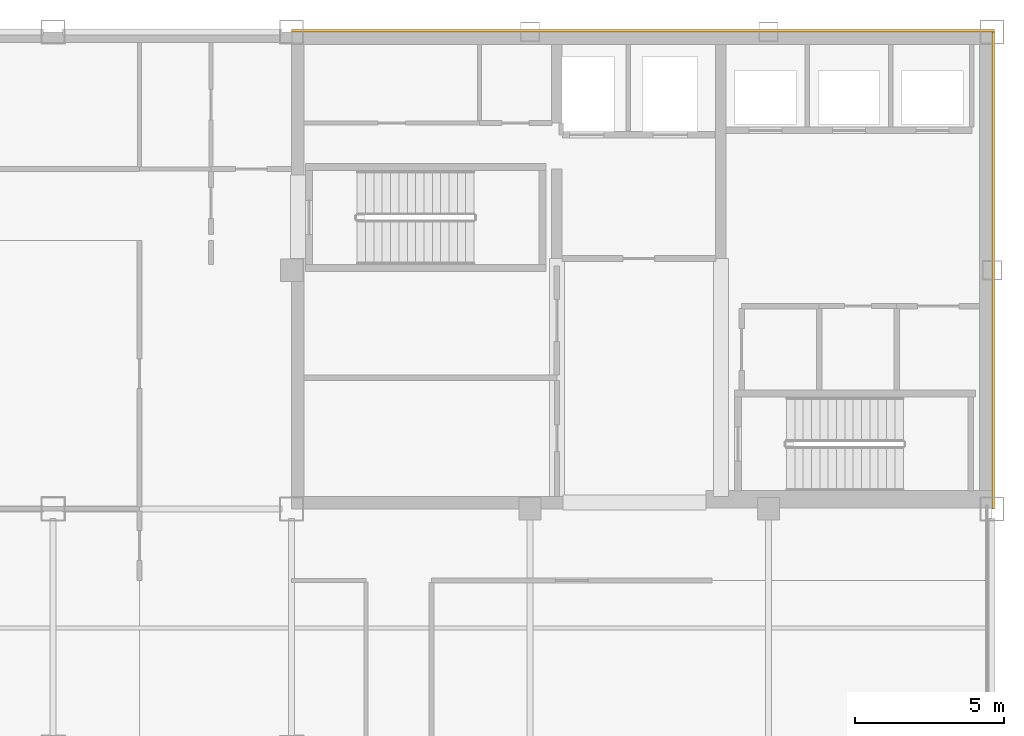
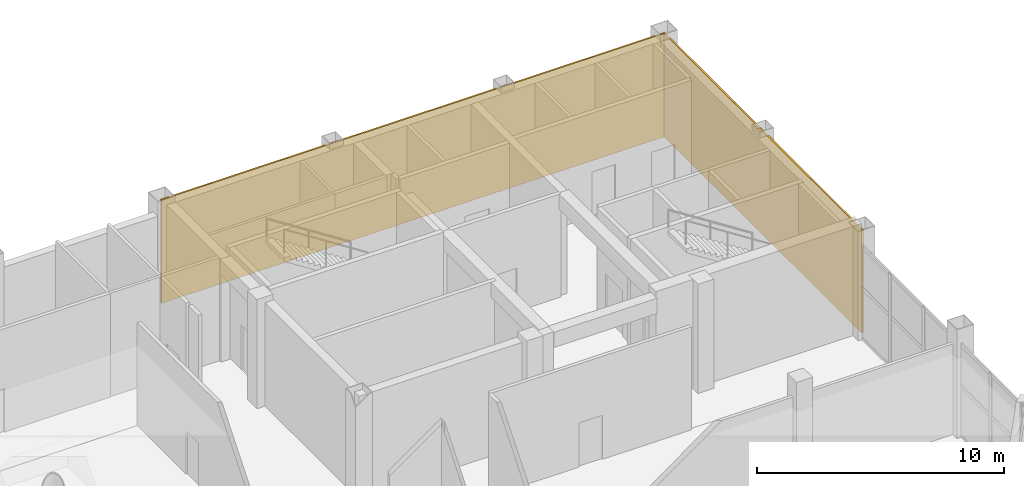
# One storey, part 17 of 17: 2 coverings.
"""IFC4 building model written with IfcOpenShell, lengths in metres."""

from ifc_helpers import new_model, si_unit, direction, frame, origin, origin_2d, place, context, subcontext, project, spatial, rectangle, extrude, material, layer, layer_set, type_object, element, save


model = new_model("IFC4")

# Units and contexts
model_context = context("Model", 3, precision=1e-05, world=origin(), true_north=direction((0.0, 1.0)))
body_context = subcontext(model_context, "Body", "Model", "MODEL_VIEW")
ifc_project = project(units=[si_unit("LENGTHUNIT", "METRE"), si_unit("AREAUNIT", "SQUARE_METRE"), si_unit("VOLUMEUNIT", "CUBIC_METRE"), si_unit("PLANEANGLEUNIT", "RADIAN"), si_unit("MASSUNIT", "GRAM", prefix="KILO")], contexts=[model_context])

# Site, building, storey
site_placement = place(None, origin())
site = spatial("IfcSite", under=ifc_project, at=site_placement, CompositionType="ELEMENT")
building_placement = place(site_placement, origin())
building = spatial("IfcBuilding", under=site, at=building_placement, Name="Qianrong Seaharbour Tower", CompositionType="ELEMENT")
storey_placement = place(building_placement, frame((0.0, 0.0, 373.0)))
storey = spatial("IfcBuildingStorey", under=building, at=storey_placement, Name="L90", CompositionType="ELEMENT", Elevation=373.0)

# Coverings
ifc_material = material(Name="Unitised red brick cladding on Precast concrete C45/55", Category="masonry")
ifc_layer = layer(ifc_material, 0.080078125)
ifc_layer_set = layer_set([ifc_layer], Name="Unitised red brick cladding on Precast concrete C45/55")
covering_type = type_object("IfcCoveringType", Name="COV-CLAD-RED-BRICK-80", PredefinedType="CLADDING", material=ifc_layer_set)
covering_1_placement = place(storey_placement, frame((52.2900390625, 52.0400390625, 0.0), z_axis=(0.0, 0.0, 1.0), x_axis=(1.0, 0.0, 0.0)))
element("IfcCovering", 1, at=covering_1_placement, inside=storey, type_object=covering_type, Name="L90 North Core Brick Veneer Cladding", PredefinedType="CLADDING", context=body_context, shape_type="SweptSolid", body=[
    extrude(rectangle(XDim=23.580078125, YDim=0.080078125, at=origin_2d()), origin(), (0.0, 0.0, 1.0), 5.110107421875),
])
covering_2_placement = place(storey_placement, frame((64.0400390625, 44.0, 0.0), z_axis=(0.0, 0.0, 1.0), x_axis=(1.0, 0.0, 0.0)))
element("IfcCovering", 2, at=covering_2_placement, inside=storey, type_object=covering_type, Name="L90 East Core Brick Veneer Cladding", PredefinedType="CLADDING", context=body_context, shape_type="SweptSolid", body=[
    extrude(rectangle(XDim=0.080078125, YDim=16.0, at=origin_2d()), origin(), (0.0, 0.0, 1.0), 5.110107421875),
])

save(model, "model.ifc")
